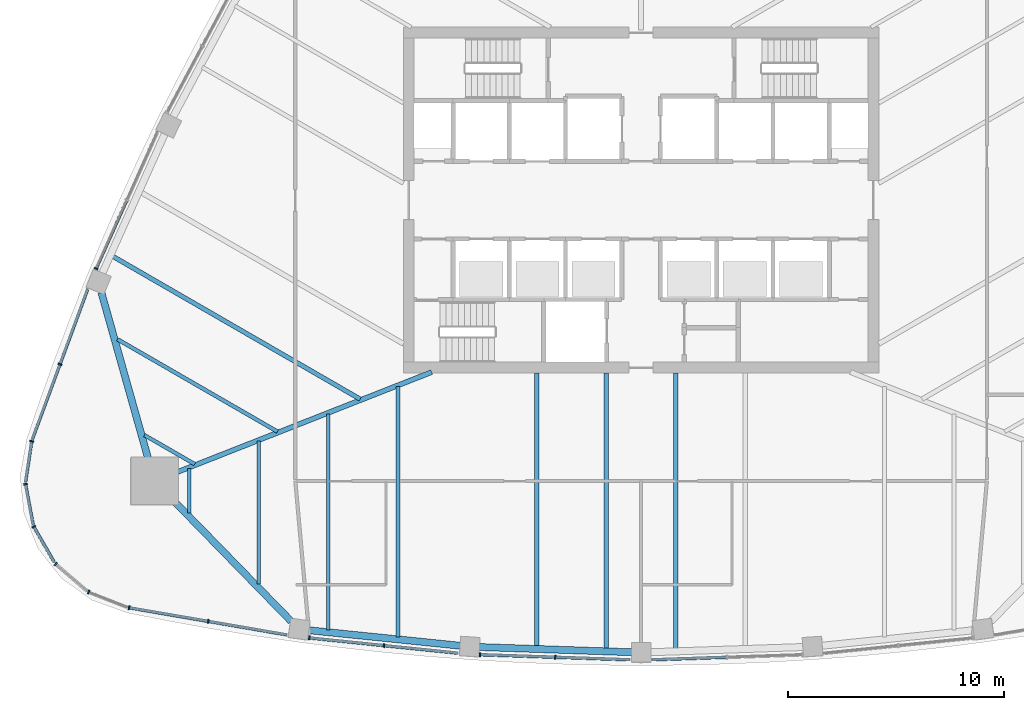
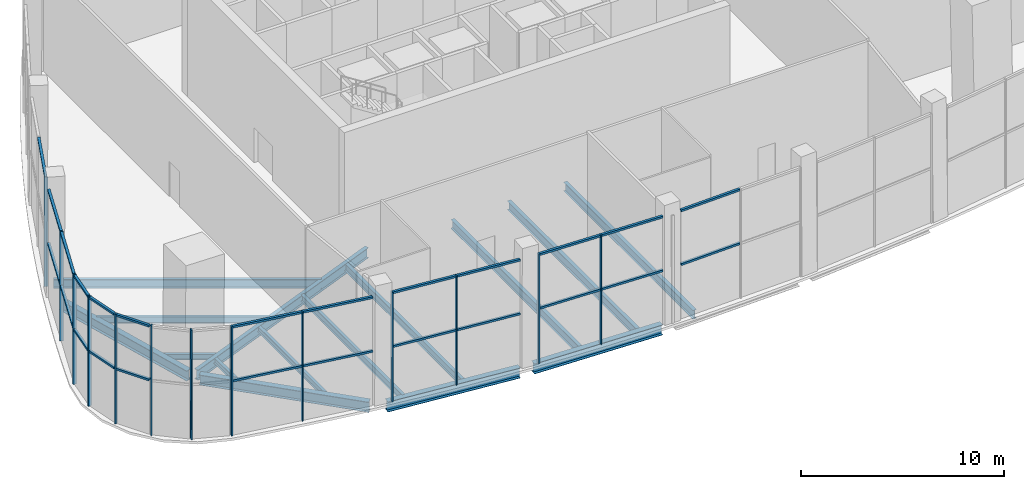
# One storey, part 2 of 15: 38 members, 15 beams, 11 elements without a shape of their own.
"""IFC4 building model written with IfcOpenShell, lengths in metres."""

from ifc_helpers import new_model, si_unit, direction, frame, origin, origin_2d, place, context, subcontext, project, spatial, rectangle, i_section, extrude, material, layer, layer_set, material_profile, profile_set, type_object, element, aggregate, save


model = new_model("IFC4")

# Units and contexts
model_context = context("Model", 3, precision=1e-05, world=origin(), true_north=direction((0.0, 1.0)))
body_context = subcontext(model_context, "Body", "Model", "MODEL_VIEW")
ifc_project = project(units=[si_unit("LENGTHUNIT", "METRE"), si_unit("AREAUNIT", "SQUARE_METRE"), si_unit("VOLUMEUNIT", "CUBIC_METRE"), si_unit("PLANEANGLEUNIT", "RADIAN"), si_unit("MASSUNIT", "GRAM", prefix="KILO")], contexts=[model_context])

# Site, building, storey
site_placement = place(None, origin())
site = spatial("IfcSite", under=ifc_project, at=site_placement, CompositionType="ELEMENT")
building_placement = place(site_placement, origin())
building = spatial("IfcBuilding", under=site, at=building_placement, Name="Sierra Prisma Convention Tower", CompositionType="ELEMENT")
storey_placement = place(building_placement, frame((0.0, 0.0, 219.800048828125)))
storey = spatial("IfcBuildingStorey", under=building, at=storey_placement, Name="L49", CompositionType="ELEMENT", Elevation=219.800048828125)

# Curtain wall, members
ifc_material_1 = material(Name="Aluminium and glass curtain wall", Category="aluminium")
ifc_layer = layer(ifc_material_1, 0.179931640625)
ifc_layer_set = layer_set([ifc_layer], Name="CW-4 Sky lobby double-height curtain wall")
curtain_wall_type = type_object("IfcCurtainWallType", Name="CW-4 Sky lobby double-height curtain wall", PredefinedType="NOTDEFINED", material=ifc_layer_set)
curtain_wall_1_placement = place(storey_placement, origin())
curtain_wall_1 = element("IfcCurtainWall", 1, at=curtain_wall_1_placement, inside=storey, type_object=curtain_wall_type, Name="CW-4 S1 L49", PredefinedType="NOTDEFINED")
ifc_material_2 = material(Name="Aluminium 6063-T6 bronze anodised", Category="aluminium")
ifc_material_profile_1 = material_profile(ifc_material_2, rectangle(XDim=0.179931640625, YDim=0.070068359375, at=origin_2d()), Name="ALU MULLION 70x180")
ifc_profile_set_1 = profile_set([ifc_material_profile_1], Name="Aluminium 6063-T6 bronze anodised")
member_type_1 = type_object("IfcMemberType", Name="CW mullion bronze", PredefinedType="MULLION", material=ifc_profile_set_1)
member_1_placement = place(storey_placement, frame((-23.693359375, -18.85986328125, 0.0), z_axis=(0.0, 0.0, 1.0), x_axis=(0.169297497717, 0.985564993933, 0.0)))
member_1 = element("IfcMember", 2, at=member_1_placement, type_object=member_type_1, Name="CW-4 mullion S1.1", PredefinedType="MULLION", context=body_context, shape_type="SweptSolid", body=[
    extrude(rectangle(XDim=0.179931640625, YDim=0.070068359375, at=origin_2d()), origin(), (0.0, 0.0, 1.0), 6.599853515625),
])
member_2_placement = place(storey_placement, frame((-20.025634765625, -19.489990234375, 0.0), z_axis=(0.0, 0.0, 1.0), x_axis=(0.169297497717, 0.985564993933, 0.0)))
member_2 = element("IfcMember", 3, at=member_2_placement, type_object=member_type_1, Name="CW-4 mullion S1.2", PredefinedType="MULLION", context=body_context, shape_type="SweptSolid", body=[
    extrude(rectangle(XDim=0.179931640625, YDim=0.070068359375, at=origin_2d()), origin(), (0.0, 0.0, 1.0), 6.599853515625),
])

curtain_wall_2_placement = place(storey_placement, origin())
curtain_wall_2 = element("IfcCurtainWall", 4, at=curtain_wall_2_placement, inside=storey, type_object=curtain_wall_type, Name="CW-4 S2 L49", PredefinedType="NOTDEFINED")
member_3_placement = place(storey_placement, frame((-15.353271484375, -20.255859375, 0.0), z_axis=(0.0, 0.0, 1.0), x_axis=(0.101892959781, 0.994795368278, 0.0)))
member_3 = element("IfcMember", 5, at=member_3_placement, type_object=member_type_1, Name="CW-4 mullion S2.1", PredefinedType="MULLION", context=body_context, shape_type="SweptSolid", body=[
    extrude(rectangle(XDim=0.179931640625, YDim=0.070068359375, at=origin_2d()), origin(), (0.0, 0.0, 1.0), 6.599853515625),
])
member_4_placement = place(storey_placement, frame((-11.89697265625, -20.60986328125, 0.0), z_axis=(0.0, 0.0, 1.0), x_axis=(0.101892959781, 0.994795368278, 0.0)))
member_4 = element("IfcMember", 6, at=member_4_placement, type_object=member_type_1, Name="CW-4 mullion S2.2", PredefinedType="MULLION", context=body_context, shape_type="SweptSolid", body=[
    extrude(rectangle(XDim=0.179931640625, YDim=0.070068359375, at=origin_2d()), origin(), (0.0, 0.0, 1.0), 6.599853515625),
])

curtain_wall_3_placement = place(storey_placement, origin())
curtain_wall_3 = element("IfcCurtainWall", 7, at=curtain_wall_3_placement, inside=storey, type_object=curtain_wall_type, Name="CW-4 S3 L49", PredefinedType="NOTDEFINED")
member_5_placement = place(storey_placement, frame((-7.461181640625, -21.0302734375, 0.0), z_axis=(0.0, 0.0, 1.0), x_axis=(0.03401680299, 0.999421261088, 0.0)))
member_5 = element("IfcMember", 8, at=member_5_placement, type_object=member_type_1, Name="CW-4 mullion S3.1", PredefinedType="MULLION", context=body_context, shape_type="SweptSolid", body=[
    extrude(rectangle(XDim=0.179931640625, YDim=0.070068359375, at=origin_2d()), origin(), (0.0, 0.0, 1.0), 6.599853515625),
])
member_6_placement = place(storey_placement, frame((-3.972900390625, -21.149169921875, 0.0), z_axis=(0.0, 0.0, 1.0), x_axis=(0.03401680299, 0.999421261088, 0.0)))
member_6 = element("IfcMember", 9, at=member_6_placement, type_object=member_type_1, Name="CW-4 mullion S3.2", PredefinedType="MULLION", context=body_context, shape_type="SweptSolid", body=[
    extrude(rectangle(XDim=0.179931640625, YDim=0.070068359375, at=origin_2d()), origin(), (0.0, 0.0, 1.0), 6.599853515625),
])

# Curtain wall, member
curtain_wall_4_placement = place(storey_placement, origin())
curtain_wall_4 = element("IfcCurtainWall", 10, at=curtain_wall_4_placement, inside=storey, type_object=curtain_wall_type, Name="CW-4 NW5 L49", PredefinedType="NOTDEFINED")
member_7_placement = place(storey_placement, frame((-25.21875, -3.16845703125, 0.0), z_axis=(0.0, 0.0, 1.0), x_axis=(0.912464540386, -0.409155792502, 0.0)))
member_7 = element("IfcMember", 11, at=member_7_placement, type_object=member_type_1, Name="CW-4 mullion NW5.3", PredefinedType="MULLION", context=body_context, shape_type="SweptSolid", body=[
    extrude(rectangle(XDim=0.179931640625, YDim=0.070068359375, at=origin_2d()), origin(), (0.0, 0.0, 1.0), 6.599853515625),
])

curtain_wall_5_placement = place(storey_placement, origin())
curtain_wall_5 = element("IfcCurtainWall", 12, at=curtain_wall_5_placement, inside=storey, type_object=curtain_wall_type, Name="CW-4 NW6 L49", PredefinedType="NOTDEFINED")
member_8_placement = place(storey_placement, frame((-26.8916015625, -7.59765625, 0.0), z_axis=(0.0, 0.0, 1.0), x_axis=(0.938173070685, -0.346166563147, 0.0)))
member_8 = element("IfcMember", 13, at=member_8_placement, type_object=member_type_1, Name="CW-4 mullion NW6.2", PredefinedType="MULLION", context=body_context, shape_type="SweptSolid", body=[
    extrude(rectangle(XDim=0.179931640625, YDim=0.070068359375, at=origin_2d()), origin(), (0.0, 0.0, 1.0), 6.599853515625),
])

curtain_wall_6_placement = place(storey_placement, origin())
curtain_wall_6 = element("IfcCurtainWall", 14, at=curtain_wall_6_placement, inside=storey, type_object=curtain_wall_type, Name="CW-4 SW1 L49", PredefinedType="NOTDEFINED")
member_9_placement = place(storey_placement, frame((-28.197265625, -11.156494140625, 0.0), z_axis=(0.0, 0.0, 1.0), x_axis=(0.988644133437, -0.150275671417, 0.0)))
member_9 = element("IfcMember", 15, at=member_9_placement, type_object=member_type_1, Name="CW-4 mullion SW1.1", PredefinedType="MULLION", context=body_context, shape_type="SweptSolid", body=[
    extrude(rectangle(XDim=0.179931640625, YDim=0.070068359375, at=origin_2d()), origin(), (0.0, 0.0, 1.0), 6.599853515625),
])

curtain_wall_7_placement = place(storey_placement, origin())
curtain_wall_7 = element("IfcCurtainWall", 16, at=curtain_wall_7_placement, inside=storey, type_object=curtain_wall_type, Name="CW-4 SW2 L49", PredefinedType="NOTDEFINED")
member_10_placement = place(storey_placement, frame((-28.487060546875, -13.14013671875, 0.0), z_axis=(0.0, 0.0, 1.0), x_axis=(0.982682240239, 0.185298717533, 0.0)))
member_10 = element("IfcMember", 17, at=member_10_placement, type_object=member_type_1, Name="CW-4 mullion SW2.1", PredefinedType="MULLION", context=body_context, shape_type="SweptSolid", body=[
    extrude(rectangle(XDim=0.179931640625, YDim=0.070068359375, at=origin_2d()), origin(), (0.0, 0.0, 1.0), 6.599853515625),
])

curtain_wall_8_placement = place(storey_placement, origin())
curtain_wall_8 = element("IfcCurtainWall", 18, at=curtain_wall_8_placement, inside=storey, type_object=curtain_wall_type, Name="CW-4 SW3 L49", PredefinedType="NOTDEFINED")
member_11_placement = place(storey_placement, frame((-28.10400390625, -15.10791015625, 0.0), z_axis=(0.0, 0.0, 1.0), x_axis=(0.866025403784, 0.5, 0.0)))
member_11 = element("IfcMember", 19, at=member_11_placement, type_object=member_type_1, Name="CW-4 mullion SW3.1", PredefinedType="MULLION", context=body_context, shape_type="SweptSolid", body=[
    extrude(rectangle(XDim=0.179931640625, YDim=0.070068359375, at=origin_2d()), origin(), (0.0, 0.0, 1.0), 6.599853515625),
])

curtain_wall_9_placement = place(storey_placement, origin())
curtain_wall_9 = element("IfcCurtainWall", 20, at=curtain_wall_9_placement, inside=storey, type_object=curtain_wall_type, Name="CW-4 SW4 L49", PredefinedType="NOTDEFINED")
member_12_placement = place(storey_placement, frame((-27.091796875, -16.838134765625, 0.0), z_axis=(0.0, 0.0, 1.0), x_axis=(0.651814516792, 0.758378425128, 0.0)))
member_12 = element("IfcMember", 21, at=member_12_placement, type_object=member_type_1, Name="CW-4 mullion SW4.1", PredefinedType="MULLION", context=body_context, shape_type="SweptSolid", body=[
    extrude(rectangle(XDim=0.179931640625, YDim=0.070068359375, at=origin_2d()), origin(), (0.0, 0.0, 1.0), 6.599853515625),
])
aggregate(curtain_wall_9, [member_12])

curtain_wall_10_placement = place(storey_placement, origin())
curtain_wall_10 = element("IfcCurtainWall", 22, at=curtain_wall_10_placement, inside=storey, type_object=curtain_wall_type, Name="CW-4 SW5 L49", PredefinedType="NOTDEFINED")
member_13_placement = place(storey_placement, frame((-25.56396484375, -18.135986328125, 0.0), z_axis=(0.0, 0.0, 1.0), x_axis=(0.364179517701, 0.931328770568, 0.0)))
member_13 = element("IfcMember", 23, at=member_13_placement, type_object=member_type_1, Name="CW-4 mullion SW5.1", PredefinedType="MULLION", context=body_context, shape_type="SweptSolid", body=[
    extrude(rectangle(XDim=0.179931640625, YDim=0.070068359375, at=origin_2d()), origin(), (0.0, 0.0, 1.0), 6.599853515625),
])
aggregate(curtain_wall_10, [member_13])

# Member
ifc_material_3 = material(Name="Aluminium 6063-T6 bronze anodised", Category="aluminium")
ifc_material_profile_2 = material_profile(ifc_material_3, rectangle(XDim=0.139892578125, YDim=0.1201171875, at=origin_2d()), Name="ALU TRANSOM 120x140")
ifc_profile_set_2 = profile_set([ifc_material_profile_2], Name="Aluminium 6063-T6 bronze anodised")
member_type_2 = type_object("IfcMemberType", Name="CW transom bronze", PredefinedType="USERDEFINED", material=ifc_profile_set_2)
member_14_placement = place(storey_placement, frame((-23.658935546875, -18.86572265625, 6.5400390625), z_axis=(0.98556684849, -0.169286701064, 0.0), x_axis=(0.169286701064, 0.98556684849, 0.0)))
member_14 = element("IfcMember", 24, at=member_14_placement, type_object=member_type_2, Name="CW-4 transom S1.1", ObjectType="TRANSOM", PredefinedType="USERDEFINED", context=body_context, shape_type="SweptSolid", body=[
    extrude(rectangle(XDim=0.139892578125, YDim=0.1201171875, at=origin_2d()), origin(), (0.0, 0.0, 1.0), 3.651611328125),
])

member_15_placement = place(storey_placement, frame((-23.658935546875, -18.86572265625, 3.300048828125), z_axis=(0.98556684849, -0.169286701064, 0.0), x_axis=(0.169286701064, 0.98556684849, 0.0)))
member_15 = element("IfcMember", 25, at=member_15_placement, type_object=member_type_2, Name="CW-4 transom S1.1 mid", ObjectType="TRANSOM", PredefinedType="USERDEFINED", context=body_context, shape_type="SweptSolid", body=[
    extrude(rectangle(XDim=0.139892578125, YDim=0.1201171875, at=origin_2d()), origin(), (0.0, 0.0, 1.0), 3.651611328125),
])

member_16_placement = place(storey_placement, frame((-19.990966796875, -19.495849609375, 6.5400390625), z_axis=(0.98556493226, -0.169297856749, 0.0), x_axis=(0.169297856749, 0.98556493226, 0.0)))
member_16 = element("IfcMember", 26, at=member_16_placement, type_object=member_type_2, Name="CW-4 transom S1.2", ObjectType="TRANSOM", PredefinedType="USERDEFINED", context=body_context, shape_type="SweptSolid", body=[
    extrude(rectangle(XDim=0.139892578125, YDim=0.1201171875, at=origin_2d()), origin(), (0.0, 0.0, 1.0), 3.6513671875),
])

member_17_placement = place(storey_placement, frame((-19.990966796875, -19.495849609375, 3.300048828125), z_axis=(0.98556493226, -0.169297856749, 0.0), x_axis=(0.169297856749, 0.98556493226, 0.0)))
member_17 = element("IfcMember", 27, at=member_17_placement, type_object=member_type_2, Name="CW-4 transom S1.2 mid", ObjectType="TRANSOM", PredefinedType="USERDEFINED", context=body_context, shape_type="SweptSolid", body=[
    extrude(rectangle(XDim=0.139892578125, YDim=0.1201171875, at=origin_2d()), origin(), (0.0, 0.0, 1.0), 3.6513671875),
])

aggregate(curtain_wall_1, [member_1, member_2, member_14, member_15, member_16, member_17])

member_18_placement = place(storey_placement, frame((-15.318603515625, -20.259521484375, 6.5400390625), z_axis=(0.994794308124, -0.101903309677, 0.0), x_axis=(0.101903309677, 0.994794308124, 0.0)))
member_18 = element("IfcMember", 28, at=member_18_placement, type_object=member_type_2, Name="CW-4 transom S2.1", ObjectType="TRANSOM", PredefinedType="USERDEFINED", context=body_context, shape_type="SweptSolid", body=[
    extrude(rectangle(XDim=0.139892578125, YDim=0.1201171875, at=origin_2d()), origin(), (0.0, 0.0, 1.0), 3.404541015625),
])

member_19_placement = place(storey_placement, frame((-15.318603515625, -20.259521484375, 3.300048828125), z_axis=(0.994794308124, -0.101903309677, 0.0), x_axis=(0.101903309677, 0.994794308124, 0.0)))
member_19 = element("IfcMember", 29, at=member_19_placement, type_object=member_type_2, Name="CW-4 transom S2.1 mid", ObjectType="TRANSOM", PredefinedType="USERDEFINED", context=body_context, shape_type="SweptSolid", body=[
    extrude(rectangle(XDim=0.139892578125, YDim=0.1201171875, at=origin_2d()), origin(), (0.0, 0.0, 1.0), 3.404541015625),
])

member_20_placement = place(storey_placement, frame((-11.8623046875, -20.613525390625, 6.5400390625), z_axis=(0.994794308124, -0.101903309677, 0.0), x_axis=(0.101903309677, 0.994794308124, 0.0)))
member_20 = element("IfcMember", 30, at=member_20_placement, type_object=member_type_2, Name="CW-4 transom S2.2", ObjectType="TRANSOM", PredefinedType="USERDEFINED", context=body_context, shape_type="SweptSolid", body=[
    extrude(rectangle(XDim=0.139892578125, YDim=0.1201171875, at=origin_2d()), origin(), (0.0, 0.0, 1.0), 3.404541015625),
])

member_21_placement = place(storey_placement, frame((-11.8623046875, -20.613525390625, 3.300048828125), z_axis=(0.994794308124, -0.101903309677, 0.0), x_axis=(0.101903309677, 0.994794308124, 0.0)))
member_21 = element("IfcMember", 31, at=member_21_placement, type_object=member_type_2, Name="CW-4 transom S2.2 mid", ObjectType="TRANSOM", PredefinedType="USERDEFINED", context=body_context, shape_type="SweptSolid", body=[
    extrude(rectangle(XDim=0.139892578125, YDim=0.1201171875, at=origin_2d()), origin(), (0.0, 0.0, 1.0), 3.404541015625),
])

aggregate(curtain_wall_2, [member_3, member_4, member_18, member_19, member_20, member_21])

member_22_placement = place(storey_placement, frame((-7.42626953125, -21.031494140625, 6.5400390625), z_axis=(0.999420156505, -0.034049240387, 0.0), x_axis=(0.034049240387, 0.999420156505, 0.0)))
member_22 = element("IfcMember", 32, at=member_22_placement, type_object=member_type_2, Name="CW-4 transom S3.1", ObjectType="TRANSOM", PredefinedType="USERDEFINED", context=body_context, shape_type="SweptSolid", body=[
    extrude(rectangle(XDim=0.139892578125, YDim=0.1201171875, at=origin_2d()), origin(), (0.0, 0.0, 1.0), 3.420166015625),
])

member_23_placement = place(storey_placement, frame((-7.42626953125, -21.031494140625, 3.300048828125), z_axis=(0.999420156505, -0.034049240387, 0.0), x_axis=(0.034049240387, 0.999420156505, 0.0)))
member_23 = element("IfcMember", 33, at=member_23_placement, type_object=member_type_2, Name="CW-4 transom S3.1 mid", ObjectType="TRANSOM", PredefinedType="USERDEFINED", context=body_context, shape_type="SweptSolid", body=[
    extrude(rectangle(XDim=0.139892578125, YDim=0.1201171875, at=origin_2d()), origin(), (0.0, 0.0, 1.0), 3.420166015625),
])

member_24_placement = place(storey_placement, frame((-3.93798828125, -21.150146484375, 6.5400390625), z_axis=(0.999420156505, -0.034049240387, 0.0), x_axis=(0.034049240387, 0.999420156505, 0.0)))
member_24 = element("IfcMember", 34, at=member_24_placement, type_object=member_type_2, Name="CW-4 transom S3.2", ObjectType="TRANSOM", PredefinedType="USERDEFINED", context=body_context, shape_type="SweptSolid", body=[
    extrude(rectangle(XDim=0.139892578125, YDim=0.1201171875, at=origin_2d()), origin(), (0.0, 0.0, 1.0), 3.420166015625),
])

member_25_placement = place(storey_placement, frame((-3.93798828125, -21.150146484375, 3.300048828125), z_axis=(0.999420156505, -0.034049240387, 0.0), x_axis=(0.034049240387, 0.999420156505, 0.0)))
member_25 = element("IfcMember", 35, at=member_25_placement, type_object=member_type_2, Name="CW-4 transom S3.2 mid", ObjectType="TRANSOM", PredefinedType="USERDEFINED", context=body_context, shape_type="SweptSolid", body=[
    extrude(rectangle(XDim=0.139892578125, YDim=0.1201171875, at=origin_2d()), origin(), (0.0, 0.0, 1.0), 3.420166015625),
])

aggregate(curtain_wall_3, [member_5, member_6, member_22, member_23, member_24, member_25])

# Curtain wall, members
curtain_wall_11_placement = place(storey_placement, origin())
curtain_wall_11 = element("IfcCurtainWall", 36, at=curtain_wall_11_placement, inside=storey, type_object=curtain_wall_type, Name="CW-4 S4 L49", PredefinedType="NOTDEFINED")
member_26_placement = place(storey_placement, frame((0.519775390625, -21.2666015625, 6.5400390625), z_axis=(0.999420156505, 0.034049240387, 0.0), x_axis=(-0.034049240387, 0.999420156505, 0.0)))
member_26 = element("IfcMember", 37, at=member_26_placement, type_object=member_type_2, Name="CW-4 transom S4.1", ObjectType="TRANSOM", PredefinedType="USERDEFINED", context=body_context, shape_type="SweptSolid", body=[
    extrude(rectangle(XDim=0.139892578125, YDim=0.1201171875, at=origin_2d()), origin(), (0.0, 0.0, 1.0), 3.420166015625),
])
member_27_placement = place(storey_placement, frame((0.519775390625, -21.2666015625, 3.300048828125), z_axis=(0.999420156505, 0.034049240387, 0.0), x_axis=(-0.034049240387, 0.999420156505, 0.0)))
member_27 = element("IfcMember", 38, at=member_27_placement, type_object=member_type_2, Name="CW-4 transom S4.1 mid", ObjectType="TRANSOM", PredefinedType="USERDEFINED", context=body_context, shape_type="SweptSolid", body=[
    extrude(rectangle(XDim=0.139892578125, YDim=0.1201171875, at=origin_2d()), origin(), (0.0, 0.0, 1.0), 3.420166015625),
])
aggregate(curtain_wall_11, [member_26, member_27])

# Member
member_28_placement = place(storey_placement, frame((-23.8115234375, -0.030029296875, 6.5400390625), z_axis=(-0.409183560055, -0.912452088704, 0.0), x_axis=(0.912452088704, -0.409183560055, 0.0)))
member_28 = element("IfcMember", 39, at=member_28_placement, type_object=member_type_2, Name="CW-4 transom NW5.2", ObjectType="TRANSOM", PredefinedType="USERDEFINED", context=body_context, shape_type="SweptSolid", body=[
    extrude(rectangle(XDim=0.139892578125, YDim=0.1201171875, at=origin_2d()), origin(), (0.0, 0.0, 1.0), 3.404541015625),
])

aggregate(curtain_wall_4, [member_7, member_28])

member_29_placement = place(storey_placement, frame((-25.615478515625, -4.13916015625, 6.5400390625), z_axis=(-0.346136000874, -0.93818434697, 0.0), x_axis=(0.93818434697, -0.346136000874, 0.0)))
member_29 = element("IfcMember", 40, at=member_29_placement, type_object=member_type_2, Name="CW-4 transom NW6.1", ObjectType="TRANSOM", PredefinedType="USERDEFINED", context=body_context, shape_type="SweptSolid", body=[
    extrude(rectangle(XDim=0.139892578125, YDim=0.1201171875, at=origin_2d()), origin(), (0.0, 0.0, 1.0), 3.651611328125),
])

member_30_placement = place(storey_placement, frame((-25.615478515625, -4.13916015625, 3.300048828125), z_axis=(-0.346136000874, -0.93818434697, 0.0), x_axis=(0.93818434697, -0.346136000874, 0.0)))
member_30 = element("IfcMember", 41, at=member_30_placement, type_object=member_type_2, Name="CW-4 transom NW6.1 mid", ObjectType="TRANSOM", PredefinedType="USERDEFINED", context=body_context, shape_type="SweptSolid", body=[
    extrude(rectangle(XDim=0.139892578125, YDim=0.1201171875, at=origin_2d()), origin(), (0.0, 0.0, 1.0), 3.651611328125),
])

member_31_placement = place(storey_placement, frame((-26.903564453125, -7.630615234375, 6.5400390625), z_axis=(-0.34621656477, -0.938154619601, 0.0), x_axis=(0.938154619601, -0.34621656477, 0.0)))
member_31 = element("IfcMember", 42, at=member_31_placement, type_object=member_type_2, Name="CW-4 transom NW6.2", ObjectType="TRANSOM", PredefinedType="USERDEFINED", context=body_context, shape_type="SweptSolid", body=[
    extrude(rectangle(XDim=0.139892578125, YDim=0.1201171875, at=origin_2d()), origin(), (0.0, 0.0, 1.0), 3.6513671875),
])

member_32_placement = place(storey_placement, frame((-26.903564453125, -7.630615234375, 3.300048828125), z_axis=(-0.34621656477, -0.938154619601, 0.0), x_axis=(0.938154619601, -0.34621656477, 0.0)))
member_32 = element("IfcMember", 43, at=member_32_placement, type_object=member_type_2, Name="CW-4 transom NW6.2 mid", ObjectType="TRANSOM", PredefinedType="USERDEFINED", context=body_context, shape_type="SweptSolid", body=[
    extrude(rectangle(XDim=0.139892578125, YDim=0.1201171875, at=origin_2d()), origin(), (0.0, 0.0, 1.0), 3.6513671875),
])

aggregate(curtain_wall_5, [member_8, member_29, member_30, member_31, member_32])

member_33_placement = place(storey_placement, frame((-28.202392578125, -11.191162109375, 6.5400390625), z_axis=(-0.150278038873, -0.988643773577, 0.0), x_axis=(0.988643773577, -0.150278038873, 0.0)))
member_33 = element("IfcMember", 44, at=member_33_placement, type_object=member_type_2, Name="CW-4 transom SW1.1", ObjectType="TRANSOM", PredefinedType="USERDEFINED", context=body_context, shape_type="SweptSolid", body=[
    extrude(rectangle(XDim=0.139892578125, YDim=0.1201171875, at=origin_2d()), origin(), (0.0, 0.0, 1.0), 1.86669921875),
])

member_34_placement = place(storey_placement, frame((-28.202392578125, -11.191162109375, 3.300048828125), z_axis=(-0.150278038873, -0.988643773577, 0.0), x_axis=(0.988643773577, -0.150278038873, 0.0)))
member_34 = element("IfcMember", 45, at=member_34_placement, type_object=member_type_2, Name="CW-4 transom SW1.1 mid", ObjectType="TRANSOM", PredefinedType="USERDEFINED", context=body_context, shape_type="SweptSolid", body=[
    extrude(rectangle(XDim=0.139892578125, YDim=0.1201171875, at=origin_2d()), origin(), (0.0, 0.0, 1.0), 1.86669921875),
])

aggregate(curtain_wall_6, [member_9, member_33, member_34])

member_35_placement = place(storey_placement, frame((-28.48046875, -13.174560546875, 6.5400390625), z_axis=(0.185338751025, -0.98267469051, 0.0), x_axis=(0.98267469051, 0.185338751025, 0.0)))
member_35 = element("IfcMember", 46, at=member_35_placement, type_object=member_type_2, Name="CW-4 transom SW2.1", ObjectType="TRANSOM", PredefinedType="USERDEFINED", context=body_context, shape_type="SweptSolid", body=[
    extrude(rectangle(XDim=0.139892578125, YDim=0.1201171875, at=origin_2d()), origin(), (0.0, 0.0, 1.0), 1.866455078125),
])

member_36_placement = place(storey_placement, frame((-28.48046875, -13.174560546875, 3.300048828125), z_axis=(0.185338751025, -0.98267469051, 0.0), x_axis=(0.98267469051, 0.185338751025, 0.0)))
member_36 = element("IfcMember", 47, at=member_36_placement, type_object=member_type_2, Name="CW-4 transom SW2.1 mid", ObjectType="TRANSOM", PredefinedType="USERDEFINED", context=body_context, shape_type="SweptSolid", body=[
    extrude(rectangle(XDim=0.139892578125, YDim=0.1201171875, at=origin_2d()), origin(), (0.0, 0.0, 1.0), 1.866455078125),
])

aggregate(curtain_wall_7, [member_10, member_35, member_36])

member_37_placement = place(storey_placement, frame((-28.086669921875, -15.13818359375, 6.5400390625), z_axis=(0.500035694089, -0.866004794812, 0.0), x_axis=(0.866004794812, 0.500035694089, 0.0)))
member_37 = element("IfcMember", 48, at=member_37_placement, type_object=member_type_2, Name="CW-4 transom SW3.1", ObjectType="TRANSOM", PredefinedType="USERDEFINED", context=body_context, shape_type="SweptSolid", body=[
    extrude(rectangle(XDim=0.139892578125, YDim=0.1201171875, at=origin_2d()), origin(), (0.0, 0.0, 1.0), 1.866455078125),
])

member_38_placement = place(storey_placement, frame((-28.086669921875, -15.13818359375, 3.300048828125), z_axis=(0.500035694089, -0.866004794812, 0.0), x_axis=(0.866004794812, 0.500035694089, 0.0)))
member_38 = element("IfcMember", 49, at=member_38_placement, type_object=member_type_2, Name="CW-4 transom SW3.1 mid", ObjectType="TRANSOM", PredefinedType="USERDEFINED", context=body_context, shape_type="SweptSolid", body=[
    extrude(rectangle(XDim=0.139892578125, YDim=0.1201171875, at=origin_2d()), origin(), (0.0, 0.0, 1.0), 1.866455078125),
])

aggregate(curtain_wall_8, [member_11, member_37, member_38])

# Beams
ifc_material_4 = material(Name="Steel ASTM A992 Gr 50", Category="steel")
ifc_material_profile_3 = material_profile(ifc_material_4, i_section(OverallWidth=0.172119140625, OverallDepth=0.35791015625, WebThickness=0.0078125, FlangeThickness=0.01318359375, at=origin_2d()), Name="W360x57")
ifc_profile_set_3 = profile_set([ifc_material_profile_3], Name="Steel ASTM A992 Gr 50")
beam_type_1 = type_object("IfcBeamType", Name="Floor joist W360x57", PredefinedType="JOIST", material=ifc_profile_set_3)
beam_1_placement = place(storey_placement, frame((-20.907470703125, -14.466552734375, -0.3291015625), z_axis=(0.0, 1.0, 0.0), x_axis=(-1.0, 0.0, 0.0)))
element("IfcBeam", 50, at=beam_1_placement, inside=storey, type_object=beam_type_1, Name="Floor joist L49 S01", PredefinedType="JOIST", context=body_context, shape_type="SweptSolid", body=[
    extrude(i_section(OverallWidth=0.172119140625, OverallDepth=0.35791015625, WebThickness=0.0078125, FlangeThickness=0.01318359375, at=origin_2d()), origin(), (0.0, 0.0, 1.0), 2.050048828125),
])
beam_2_placement = place(storey_placement, frame((-17.69091796875, -17.765869140625, -0.3291015625), z_axis=(0.0, 1.0, 0.0), x_axis=(-1.0, 0.0, 0.0)))
element("IfcBeam", 51, at=beam_2_placement, inside=storey, type_object=beam_type_1, Name="Floor joist L49 S02", PredefinedType="JOIST", context=body_context, shape_type="SweptSolid", body=[
    extrude(i_section(OverallWidth=0.172119140625, OverallDepth=0.35791015625, WebThickness=0.0078125, FlangeThickness=0.01318359375, at=origin_2d()), origin(), (0.0, 0.0, 1.0), 6.614013671875),
])
beam_3_placement = place(storey_placement, frame((-22.982177734375, -10.873291015625, -0.3291015625), z_axis=(0.866038935671, -0.499976561352, 0.0), x_axis=(0.499976561352, 0.866038935671, 0.0)))
element("IfcBeam", 52, at=beam_3_placement, inside=storey, type_object=beam_type_1, Name="Floor joist L49 NW14", PredefinedType="JOIST", context=body_context, shape_type="SweptSolid", body=[
    extrude(i_section(OverallWidth=0.172119140625, OverallDepth=0.35791015625, WebThickness=0.0078125, FlangeThickness=0.01318359375, at=origin_2d()), origin(), (0.0, 0.0, 1.0), 2.689208984375),
])
ifc_material_5 = material(Name="Steel ASTM A992 Gr 50", Category="steel")
ifc_material_profile_4 = material_profile(ifc_material_5, i_section(OverallWidth=0.177978515625, OverallDepth=0.406982421875, WebThickness=0.0078125, FlangeThickness=0.0126953125, at=origin_2d()), Name="W410x60")
ifc_profile_set_4 = profile_set([ifc_material_profile_4], Name="Steel ASTM A992 Gr 50")
beam_type_2 = type_object("IfcBeamType", Name="Floor joist W410x60", PredefinedType="JOIST", material=ifc_profile_set_4)
beam_4_placement = place(storey_placement, frame((-14.474365234375, -19.881103515625, -0.353515625), z_axis=(0.0, 1.0, 0.0), x_axis=(-1.0, 0.0, 0.0)))
element("IfcBeam", 53, at=beam_4_placement, inside=storey, type_object=beam_type_2, Name="Floor joist L49 S03", PredefinedType="JOIST", context=body_context, shape_type="SweptSolid", body=[
    extrude(i_section(OverallWidth=0.177978515625, OverallDepth=0.406982421875, WebThickness=0.0078125, FlangeThickness=0.0126953125, at=origin_2d()), origin(), (0.0, 0.0, 1.0), 9.993896484375),
])
beam_5_placement = place(storey_placement, frame((-24.231201171875, -6.43798828125, -0.353515625), z_axis=(0.866025820012, -0.499999279071, 0.0), x_axis=(0.499999279071, 0.866025820012, 0.0)))
element("IfcBeam", 54, at=beam_5_placement, inside=storey, type_object=beam_type_2, Name="Floor joist L49 NW13", PredefinedType="JOIST", context=body_context, shape_type="SweptSolid", body=[
    extrude(i_section(OverallWidth=0.177978515625, OverallDepth=0.406982421875, WebThickness=0.0078125, FlangeThickness=0.0126953125, at=origin_2d()), origin(), (0.0, 0.0, 1.0), 8.55029296875),
])
ifc_material_6 = material(Name="Steel ASTM A992 Gr 50", Category="steel")
ifc_material_profile_5 = material_profile(ifc_material_6, i_section(OverallWidth=0.18994140625, OverallDepth=0.45703125, WebThickness=0.009033203125, FlangeThickness=0.014404296875, at=origin_2d()), Name="W460x74")
ifc_profile_set_5 = profile_set([ifc_material_profile_5], Name="Steel ASTM A992 Gr 50")
beam_type_3 = type_object("IfcBeamType", Name="Floor joist W460x74", PredefinedType="JOIST", material=ifc_profile_set_5)
beam_6_placement = place(storey_placement, frame((-11.2578125, -20.21044921875, -0.378662109375), z_axis=(0.0, 1.0, 0.0), x_axis=(-1.0, 0.0, 0.0)))
element("IfcBeam", 55, at=beam_6_placement, inside=storey, type_object=beam_type_3, Name="Floor joist L49 S04", PredefinedType="JOIST", context=body_context, shape_type="SweptSolid", body=[
    extrude(i_section(OverallWidth=0.18994140625, OverallDepth=0.45703125, WebThickness=0.009033203125, FlangeThickness=0.014404296875, at=origin_2d()), origin(), (0.0, 0.0, 1.0), 11.587890625),
])
ifc_material_7 = material(Name="Steel ASTM A992 Gr 50", Category="steel")
ifc_material_profile_6 = material_profile(ifc_material_7, i_section(OverallWidth=0.208984375, OverallDepth=0.532958984375, WebThickness=0.01025390625, FlangeThickness=0.015625, at=origin_2d()), Name="W530x92")
ifc_profile_set_6 = profile_set([ifc_material_profile_6], Name="Steel ASTM A992 Gr 50")
beam_type_4 = type_object("IfcBeamType", Name="Floor joist W530x92", PredefinedType="JOIST", material=ifc_profile_set_6)
beam_7_placement = place(storey_placement, frame((-4.82470703125, -20.657470703125, -0.41650390625), z_axis=(0.0, 1.0, 0.0), x_axis=(-1.0, 0.0, 0.0)))
element("IfcBeam", 56, at=beam_7_placement, inside=storey, type_object=beam_type_4, Name="Floor joist L49 S06", PredefinedType="JOIST", context=body_context, shape_type="SweptSolid", body=[
    extrude(i_section(OverallWidth=0.208984375, OverallDepth=0.532958984375, WebThickness=0.01025390625, FlangeThickness=0.015625, at=origin_2d()), origin(), (0.0, 0.0, 1.0), 12.657470703125),
])
for number, where, z_axis, x_axis, name in (
    (57, (-1.608154296875, -20.766845703125, -0.41650390625), (0.0, 1.0, 0.0), (-1.0, 0.0, 0.0), "Floor joist L49 S07"),
    (58, (1.608154296875, -20.766845703125, -0.41650390625), (0.0, 1.0, 0.0), (-1.0, 0.0, 0.0), "Floor joist L49 S08"),
):
    element("IfcBeam", number, at=place(storey_placement, frame(where, z_axis=z_axis, x_axis=x_axis)), inside=storey, type_object=beam_type_4, Name=name, PredefinedType="JOIST", context=body_context, shape_type="SweptSolid", body=[
        extrude(i_section(OverallWidth=0.208984375, OverallDepth=0.532958984375, WebThickness=0.01025390625, FlangeThickness=0.015625, at=origin_2d()), origin(), (0.0, 0.0, 1.0), 12.766845703125),
    ])
beam_8_placement = place(storey_placement, frame((-24.45458984375, -2.5947265625, -0.41650390625), z_axis=(0.86602422079, -0.500002049001, 0.0), x_axis=(0.500002049001, 0.86602422079, 0.0)))
element("IfcBeam", 59, at=beam_8_placement, inside=storey, type_object=beam_type_4, Name="Floor joist L49 NW12", PredefinedType="JOIST", context=body_context, shape_type="SweptSolid", body=[
    extrude(i_section(OverallWidth=0.208984375, OverallDepth=0.532958984375, WebThickness=0.01025390625, FlangeThickness=0.015625, at=origin_2d()), origin(), (0.0, 0.0, 1.0), 13.2275390625),
])
ifc_material_8 = material(Name="Steel ASTM A992 Gr 50", Category="steel")
ifc_material_profile_7 = material_profile(ifc_material_8, i_section(OverallWidth=0.22998046875, OverallDepth=0.616943359375, WebThickness=0.01318359375, FlangeThickness=0.022216796875, at=origin_2d()), Name="W610x140")
ifc_profile_set_7 = profile_set([ifc_material_profile_7], Name="Steel ASTM A992 Gr 50")
beam_type_5 = type_object("IfcBeamType", Name="Radial girder W610x140", PredefinedType="BEAM", material=ifc_profile_set_7)
beam_9_placement = place(storey_placement, frame((-22.255859375, -12.897216796875, -0.45849609375), z_axis=(0.930653673639, 0.365901270485, 0.0), x_axis=(-0.365901270485, 0.930653673639, 0.0)))
element("IfcBeam", 60, at=beam_9_placement, inside=storey, type_object=beam_type_5, Name="Radial girder L49 SW", PredefinedType="BEAM", context=body_context, shape_type="SweptSolid", body=[
    extrude(i_section(OverallWidth=0.22998046875, OverallDepth=0.616943359375, WebThickness=0.01318359375, FlangeThickness=0.022216796875, at=origin_2d()), origin(), (0.0, 0.0, 1.0), 13.504150390625),
])
ifc_material_9 = material(Name="Steel ASTM A992 Gr 50", Category="steel")
ifc_material_profile_8 = material_profile(ifc_material_9, i_section(OverallWidth=0.324951171875, OverallDepth=0.615966796875, WebThickness=0.013916015625, FlangeThickness=0.021484375, at=origin_2d()), Name="W610x174")
ifc_profile_set_8 = profile_set([ifc_material_profile_8], Name="Steel ASTM A992 Gr 50")
beam_type_6 = type_object("IfcBeamType", Name="Spandrel beam W610x174", PredefinedType="BEAM", material=ifc_profile_set_8)
beam_10_placement = place(storey_placement, frame((-22.262451171875, -13.259521484375, -0.4580078125), z_axis=(0.698053005961, -0.716046088509, 0.0), x_axis=(0.716046088509, 0.698053005961, 0.0)))
element("IfcBeam", 61, at=beam_10_placement, inside=storey, type_object=beam_type_6, Name="Spandrel L49-01", PredefinedType="BEAM", context=body_context, shape_type="SweptSolid", body=[
    extrude(i_section(OverallWidth=0.324951171875, OverallDepth=0.615966796875, WebThickness=0.013916015625, FlangeThickness=0.021484375, at=origin_2d()), origin(), (0.0, 0.0, 1.0), 8.697509765625),
])
beam_11_placement = place(storey_placement, frame((-15.4541015625, -19.89404296875, -0.4580078125), z_axis=(0.994795590203, -0.101890793075, 0.0), x_axis=(0.101890793075, 0.994795590203, 0.0)))
element("IfcBeam", 62, at=beam_11_placement, inside=storey, type_object=beam_type_6, Name="Spandrel L49-02", PredefinedType="BEAM", context=body_context, shape_type="SweptSolid", body=[
    extrude(i_section(OverallWidth=0.324951171875, OverallDepth=0.615966796875, WebThickness=0.013916015625, FlangeThickness=0.021484375, at=origin_2d()), origin(), (0.0, 0.0, 1.0), 7.1787109375),
])
beam_12_placement = place(storey_placement, frame((-7.554443359375, -20.67724609375, -0.4580078125), z_axis=(0.999421488413, -0.034010123474, 0.0), x_axis=(0.034010123474, 0.999421488413, 0.0)))
element("IfcBeam", 63, at=beam_12_placement, inside=storey, type_object=beam_type_6, Name="Spandrel L49-03", PredefinedType="BEAM", context=body_context, shape_type="SweptSolid", body=[
    extrude(i_section(OverallWidth=0.324951171875, OverallDepth=0.615966796875, WebThickness=0.013916015625, FlangeThickness=0.021484375, at=origin_2d()), origin(), (0.0, 0.0, 1.0), 7.178466796875),
])
beam_13_placement = place(storey_placement, frame((-24.971923828125, -4.2783203125, -0.4580078125), z_axis=(0.271072915842, -0.962558816019, 0.0), x_axis=(0.962558816019, 0.271072915842, 0.0)))
element("IfcBeam", 64, at=beam_13_placement, inside=storey, type_object=beam_type_6, Name="Spandrel L49-18", PredefinedType="BEAM", context=body_context, shape_type="SweptSolid", body=[
    extrude(i_section(OverallWidth=0.324951171875, OverallDepth=0.615966796875, WebThickness=0.013916015625, FlangeThickness=0.021484375, at=origin_2d()), origin(), (0.0, 0.0, 1.0), 8.790283203125),
])

save(model, "model.ifc")
